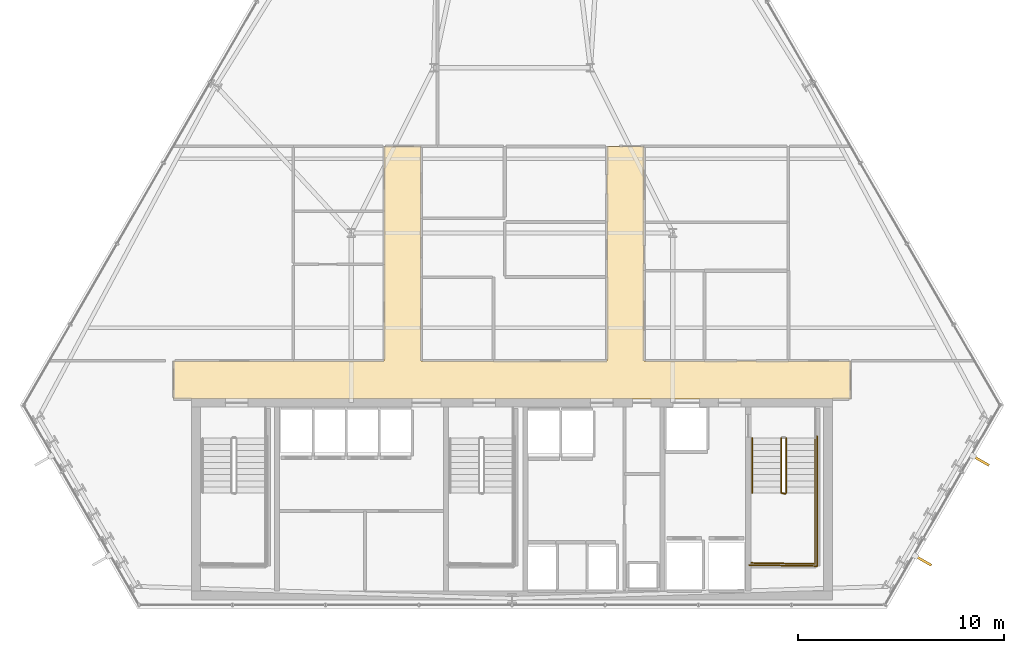
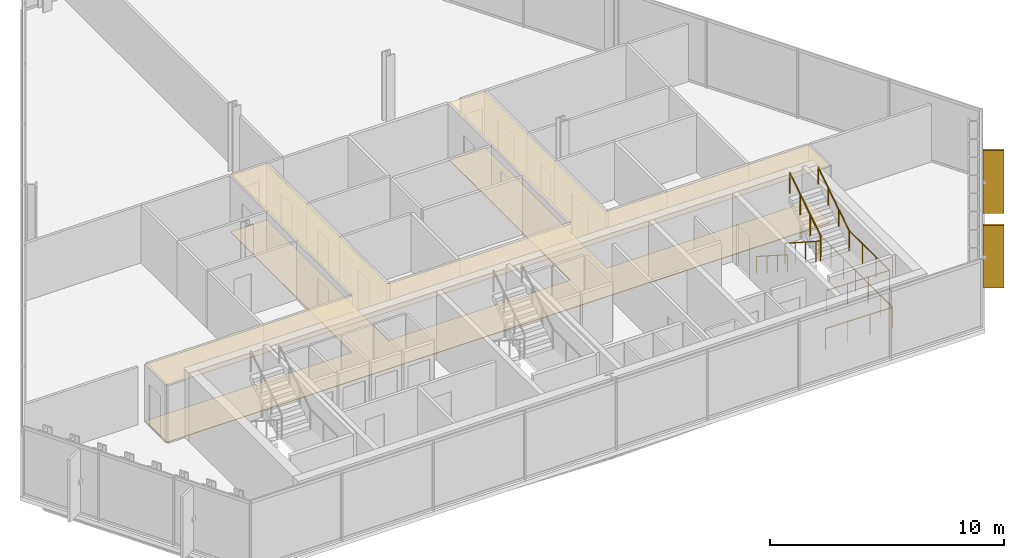
# One storey, part 31 of 33: 6 railings, 2 coverings, 2 shading devices.
"""IFC4 building model written with IfcOpenShell, lengths in metres."""

from ifc_helpers import new_model, si_unit, direction, frame, origin, origin_2d, place, context, subcontext, project, spatial, polyline, rectangle, circle, outline, extrude, material, layer, layer_set, type_object, element, save


model = new_model("IFC4")

# Units and contexts
model_context = context("Model", 3, precision=1e-05, world=origin(), true_north=direction((0.0, 1.0)))
body_context = subcontext(model_context, "Body", "Model", "MODEL_VIEW")
ifc_project = project(units=[si_unit("LENGTHUNIT", "METRE"), si_unit("AREAUNIT", "SQUARE_METRE"), si_unit("VOLUMEUNIT", "CUBIC_METRE"), si_unit("PLANEANGLEUNIT", "RADIAN"), si_unit("MASSUNIT", "GRAM", prefix="KILO")], contexts=[model_context])

# Site, building, storey
site_placement = place(None, origin())
site = spatial("IfcSite", under=ifc_project, at=site_placement, CompositionType="ELEMENT")
building_placement = place(site_placement, origin())
building = spatial("IfcBuilding", under=site, at=building_placement, Name="Ndaravel Arena Tower", CompositionType="ELEMENT")
storey_placement = place(building_placement, frame((0.0, 0.0, 153.60009765625)))
storey = spatial("IfcBuildingStorey", under=building, at=storey_placement, Name="L36", CompositionType="ELEMENT", Elevation=153.60009765625)

# Coverings
ifc_material_1 = material(Name="Acoustic Ceiling Tile", Category="finish")
ifc_layer_1 = layer(ifc_material_1, 0.02490234375)
ifc_layer_set_1 = layer_set([ifc_layer_1], Name="Acoustic Ceiling Tile")
covering_type_1 = type_object("IfcCoveringType", Name="COV-CEIL-AC600", PredefinedType="CEILING", material=ifc_layer_set_1)
covering_1_placement = place(storey_placement, frame((0.0, 0.0, 2.98046875)))
element("IfcCovering", 1, at=covering_1_placement, inside=storey, type_object=covering_type_1, Name="L36 Corridor Acoustic Ceiling", PredefinedType="CEILING", context=body_context, shape_type="SweptSolid", body=[
    extrude(outline(polyline([(58.39990234375, 17.0), (48.39990234375, 17.0), (48.39990234375, 27.39990234375), (46.60009765625, 27.39990234375), (46.60009765625, 17.0), (37.60009765625, 17.0), (37.60009765625, 27.39990234375), (35.800048828125, 27.39990234375), (35.800048828125, 17.0), (25.60009765625, 17.0), (25.60009765625, 15.14990234375), (58.39990234375, 15.14990234375), (58.39990234375, 17.0)])), origin(), (0.0, 0.0, 1.0), 0.02490234375),
])
ifc_material_2 = material(Name="Terrazzo", Category="stone")
ifc_layer_2 = layer(ifc_material_2, 0.030029296875)
ifc_layer_set_2 = layer_set([ifc_layer_2], Name="Terrazzo")
covering_type_2 = type_object("IfcCoveringType", Name="COV-FLOOR-TERRAZZO", PredefinedType="FLOORING", material=ifc_layer_set_2)
covering_2_placement = place(storey_placement, origin())
element("IfcCovering", 2, at=covering_2_placement, inside=storey, type_object=covering_type_2, Name="L36 Corridor Terrazzo Flooring", PredefinedType="FLOORING", context=body_context, shape_type="SweptSolid", body=[
    extrude(outline(polyline([(58.39990234375, 17.0), (48.39990234375, 17.0), (48.39990234375, 27.39990234375), (46.60009765625, 27.39990234375), (46.60009765625, 17.0), (37.60009765625, 17.0), (37.60009765625, 27.39990234375), (35.800048828125, 27.39990234375), (35.800048828125, 17.0), (25.60009765625, 17.0), (25.60009765625, 15.14990234375), (58.39990234375, 15.14990234375), (58.39990234375, 17.0)])), origin(), (0.0, 0.0, 1.0), 0.02978515625),
])

# Railings
ifc_material_3 = material(Name="Steel S355", Category="steel")
ifc_layer_3 = layer(ifc_material_3, 0.06005859375)
ifc_layer_set_3 = layer_set([ifc_layer_3], Name="Steel S355")
railing_type_1 = type_object("IfcRailingType", Name="RAIL-STAIR-GD1100", PredefinedType="GUARDRAIL", material=ifc_layer_set_3)
railing_1_placement = place(storey_placement, frame((55.050048828125, 13.25, 0.18994140625)))
element("IfcRailing", 3, at=railing_1_placement, inside=storey, type_object=railing_type_1, Name="L36 ST-3 stair guard 1", PredefinedType="GUARDRAIL", context=body_context, shape_type="SweptSolid", body=[
    extrude(circle(Radius=0.02392578125, at=origin_2d()), frame((0.0, 0.0, 1.076171875), z_axis=(0.0, -0.840723540582, 0.54146461409), x_axis=(1.0, 0.0, 0.0)), (0.0, 0.0, 1.0), 3.157958984375),
    extrude(circle(Radius=0.02392578125, at=origin_2d()), frame((0.0, -2.655029296875, 2.7861328125), z_axis=(0.966993988697, -0.254799187253, 0.0), x_axis=(0.254799187253, 0.966993988697, 0.0)), (0.0, 0.0, 1.0), 0.196533203125),
    extrude(circle(Radius=0.02099609375, at=origin_2d()), origin(), (0.0, 0.0, 1.0), 1.052001953125),
    extrude(circle(Radius=0.02099609375, at=origin_2d()), frame((0.0, -0.885009765625, 0.570068359375)), (0.0, 0.0, 1.0), 1.052001953125),
    extrude(circle(Radius=0.02099609375, at=origin_2d()), frame((0.0, -1.77001953125, 1.139892578125)), (0.0, 0.0, 1.0), 1.052001953125),
    extrude(circle(Radius=0.02099609375, at=origin_2d()), frame((0.0, -2.655029296875, 1.7099609375)), (0.0, 0.0, 1.0), 1.052001953125),
    extrude(circle(Radius=0.02099609375, at=origin_2d()), frame((0.18994140625, -2.705078125, 1.7099609375)), (0.0, 0.0, 1.0), 1.052001953125),
])
railing_2_placement = place(storey_placement, frame((56.68994140625, 10.594970703125, 1.89990234375)))
element("IfcRailing", 4, at=railing_2_placement, inside=storey, type_object=railing_type_1, Name="L36 ST-3 stair guard 2", PredefinedType="GUARDRAIL", context=body_context, shape_type="SweptSolid", body=[
    extrude(circle(Radius=0.02392578125, at=origin_2d()), frame((0.0, 0.0, 1.076171875), z_axis=(0.0, -1.0, 0.0), x_axis=(1.0, 0.0, 0.0)), (0.0, 0.0, 1.0), 3.445068359375),
    extrude(circle(Radius=0.02392578125, at=origin_2d()), frame((0.0, -3.445068359375, 1.076171875), z_axis=(-0.999868840623, 0.016195726322, 0.0), x_axis=(-0.016195726322, -0.999868840623, 0.0)), (0.0, 0.0, 1.0), 3.09033203125),
    extrude(circle(Radius=0.02099609375, at=origin_2d()), origin(), (0.0, 0.0, 1.0), 1.052001953125),
    extrude(circle(Radius=0.02099609375, at=origin_2d()), frame((0.0, -1.1484375, 0.0)), (0.0, 0.0, 1.0), 1.052001953125),
    extrude(circle(Radius=0.02099609375, at=origin_2d()), frame((0.0, -2.296630859375, 0.0)), (0.0, 0.0, 1.0), 1.052001953125),
    extrude(circle(Radius=0.02099609375, at=origin_2d()), frame((0.0, -3.445068359375, 0.0)), (0.0, 0.0, 1.0), 1.052001953125),
    extrude(circle(Radius=0.02099609375, at=origin_2d()), frame((-1.030029296875, -3.428466796875, 0.0)), (0.0, 0.0, 1.0), 1.052001953125),
    extrude(circle(Radius=0.02099609375, at=origin_2d()), frame((-2.059814453125, -3.41162109375, 0.0)), (0.0, 0.0, 1.0), 1.052001953125),
    extrude(circle(Radius=0.02099609375, at=origin_2d()), frame((-3.08984375, -3.39501953125, 0.0)), (0.0, 0.0, 1.0), 1.052001953125),
])
railing_3_placement = place(storey_placement, frame((55.2900390625, 10.594970703125, 2.08984375)))
element("IfcRailing", 5, at=railing_3_placement, inside=storey, type_object=railing_type_1, Name="L36 ST-3 stair guard 3", PredefinedType="GUARDRAIL", context=body_context, shape_type="SweptSolid", body=[
    extrude(circle(Radius=0.02392578125, at=origin_2d()), frame((0.0, 0.0, 1.076171875), z_axis=(0.0, 0.840723540582, 0.54146461409), x_axis=(-1.0, 0.0, 0.0)), (0.0, 0.0, 1.0), 3.157958984375),
    extrude(circle(Radius=0.02099609375, at=origin_2d()), origin(), (0.0, 0.0, 1.0), 1.052001953125),
    extrude(circle(Radius=0.02099609375, at=origin_2d()), frame((0.0, 0.885009765625, 0.570068359375)), (0.0, 0.0, 1.0), 1.052001953125),
    extrude(circle(Radius=0.02099609375, at=origin_2d()), frame((0.0, 1.77001953125, 1.139892578125)), (0.0, 0.0, 1.0), 1.052001953125),
    extrude(circle(Radius=0.02099609375, at=origin_2d()), frame((0.0, 2.655029296875, 1.7099609375)), (0.0, 0.0, 1.0), 1.052001953125),
])
railing_4_placement = place(storey_placement, frame((56.7900390625, 13.35009765625, 0.0)))
element("IfcRailing", 6, at=railing_4_placement, inside=storey, type_object=railing_type_1, Name="L36 ST-3 stair guard 6", PredefinedType="GUARDRAIL", context=body_context, shape_type="SweptSolid", body=[
    extrude(circle(Radius=0.02392578125, at=origin_2d()), frame((0.0, 0.0, 1.076171875), z_axis=(0.0, -1.0, 0.0), x_axis=(1.0, 0.0, 0.0)), (0.0, 0.0, 1.0), 6.300048828125),
    extrude(circle(Radius=0.02392578125, at=origin_2d()), frame((0.0, -6.300048828125, 1.076171875), z_axis=(-0.99988431412, 0.015210469308, 0.0), x_axis=(-0.015210469308, -0.99988431412, 0.0)), (0.0, 0.0, 1.0), 3.29052734375),
    extrude(circle(Radius=0.02099609375, at=origin_2d()), origin(), (0.0, 0.0, 1.0), 1.052001953125),
    extrude(circle(Radius=0.02099609375, at=origin_2d()), frame((0.0, -1.050048828125, 0.0)), (0.0, 0.0, 1.0), 1.052001953125),
    extrude(circle(Radius=0.02099609375, at=origin_2d()), frame((0.0, -2.10009765625, 0.0)), (0.0, 0.0, 1.0), 1.052001953125),
    extrude(circle(Radius=0.02099609375, at=origin_2d()), frame((0.0, -3.14990234375, 0.0)), (0.0, 0.0, 1.0), 1.052001953125),
    extrude(circle(Radius=0.02099609375, at=origin_2d()), frame((0.0, -4.199951171875, 0.0)), (0.0, 0.0, 1.0), 1.052001953125),
    extrude(circle(Radius=0.02099609375, at=origin_2d()), frame((0.0, -5.25, 0.0)), (0.0, 0.0, 1.0), 1.052001953125),
    extrude(circle(Radius=0.02099609375, at=origin_2d()), frame((0.0, -6.300048828125, 0.0)), (0.0, 0.0, 1.0), 1.052001953125),
    extrude(circle(Radius=0.02099609375, at=origin_2d()), frame((-1.0966796875, -6.283447265625, 0.0)), (0.0, 0.0, 1.0), 1.052001953125),
    extrude(circle(Radius=0.02099609375, at=origin_2d()), frame((-2.193359375, -6.2666015625, 0.0)), (0.0, 0.0, 1.0), 1.052001953125),
    extrude(circle(Radius=0.02099609375, at=origin_2d()), frame((-3.2900390625, -6.25, 0.0)), (0.0, 0.0, 1.0), 1.052001953125),
])
ifc_material_4 = material(Name="Steel S355", Category="steel")
ifc_layer_4 = layer(ifc_material_4, 0.050048828125)
ifc_layer_set_4 = layer_set([ifc_layer_4], Name="Steel S355")
railing_type_2 = type_object("IfcRailingType", Name="RAIL-STAIR-HR920", PredefinedType="HANDRAIL", material=ifc_layer_set_4)
railing_5_placement = place(storey_placement, frame((53.64990234375, 13.25, 0.18994140625)))
element("IfcRailing", 7, at=railing_5_placement, inside=storey, type_object=railing_type_2, Name="L36 ST-3 stair handrail 1", PredefinedType="HANDRAIL", context=body_context, shape_type="SweptSolid", body=[
    extrude(circle(Radius=0.02392578125, at=origin_2d()), frame((0.0, 0.0, 0.8759765625), z_axis=(0.0, -0.840723540582, 0.54146461409), x_axis=(1.0, 0.0, 0.0)), (0.0, 0.0, 1.0), 3.157958984375),
    extrude(circle(Radius=0.02099609375, at=origin_2d()), origin(), (0.0, 0.0, 1.0), 0.851806640625),
    extrude(circle(Radius=0.02099609375, at=origin_2d()), frame((0.0, -0.885009765625, 0.570068359375)), (0.0, 0.0, 1.0), 0.851806640625),
    extrude(circle(Radius=0.02099609375, at=origin_2d()), frame((0.0, -1.77001953125, 1.139892578125)), (0.0, 0.0, 1.0), 0.851806640625),
    extrude(circle(Radius=0.02099609375, at=origin_2d()), frame((0.0, -2.655029296875, 1.7099609375)), (0.0, 0.0, 1.0), 0.851806640625),
])
railing_6_placement = place(storey_placement, frame((56.68994140625, 10.594970703125, 2.08984375)))
element("IfcRailing", 8, at=railing_6_placement, inside=storey, type_object=railing_type_2, Name="L36 ST-3 stair handrail 2", PredefinedType="HANDRAIL", context=body_context, shape_type="SweptSolid", body=[
    extrude(circle(Radius=0.02392578125, at=origin_2d()), frame((0.0, 0.0, 0.8759765625), z_axis=(0.0, 0.840723540582, 0.54146461409), x_axis=(-1.0, 0.0, 0.0)), (0.0, 0.0, 1.0), 3.157958984375),
    extrude(circle(Radius=0.02099609375, at=origin_2d()), origin(), (0.0, 0.0, 1.0), 0.851806640625),
    extrude(circle(Radius=0.02099609375, at=origin_2d()), frame((0.0, 0.885009765625, 0.570068359375)), (0.0, 0.0, 1.0), 0.851806640625),
    extrude(circle(Radius=0.02099609375, at=origin_2d()), frame((0.0, 1.77001953125, 1.139892578125)), (0.0, 0.0, 1.0), 0.851806640625),
    extrude(circle(Radius=0.02099609375, at=origin_2d()), frame((0.0, 2.655029296875, 1.7099609375)), (0.0, 0.0, 1.0), 0.851806640625),
])

# Shading devices
ifc_material_5 = material(Name="Masonry", Category="masonry")
shading_device_type = type_object("IfcShadingDeviceType", Name="SHD-MAZERAS-FIN", PredefinedType="SHUTTER", material=ifc_material_5)
for number, where, z_axis, x_axis, name in (
    (9, (61.936279296875, 7.314208984375, 0.14990234375), (0.0, 0.0, 1.0), (0.866025403784, -0.5, 0.0), "L36 Mazeras Stone Solar Fin E2.1"),
    (10, (64.732177734375, 12.156982421875, 0.14990234375), (0.0, 0.0, 1.0), (0.866025403784, -0.5, 0.0), "L36 Mazeras Stone Solar Fin E2.2"),
):
    element("IfcShadingDevice", number, at=place(storey_placement, frame(where, z_axis=z_axis, x_axis=x_axis)), inside=storey, type_object=shading_device_type, Name=name, PredefinedType="SHUTTER", context=body_context, shape_type="SweptSolid", body=[
        extrude(rectangle(XDim=0.89990234375, YDim=0.1201171875, at=origin_2d()), origin(), (0.0, 0.0, 1.0), 3.280029296875),
    ])

save(model, "model.ifc")
